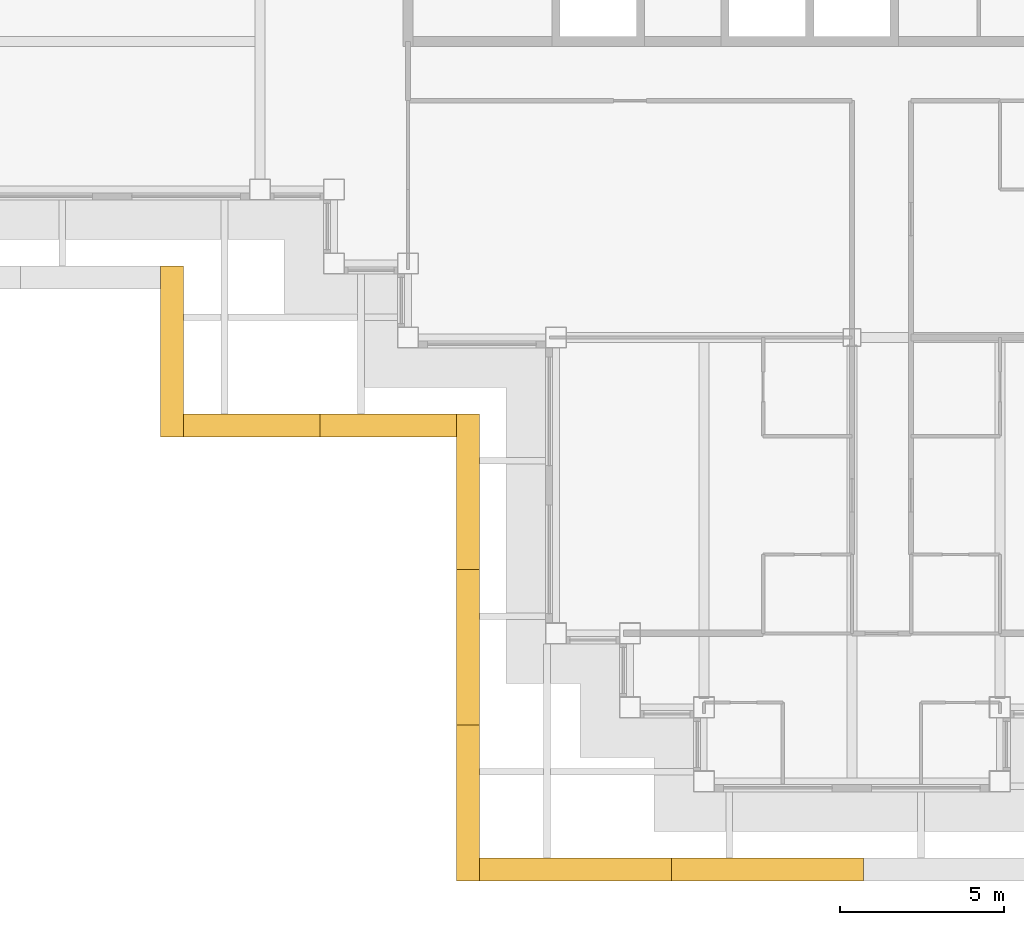
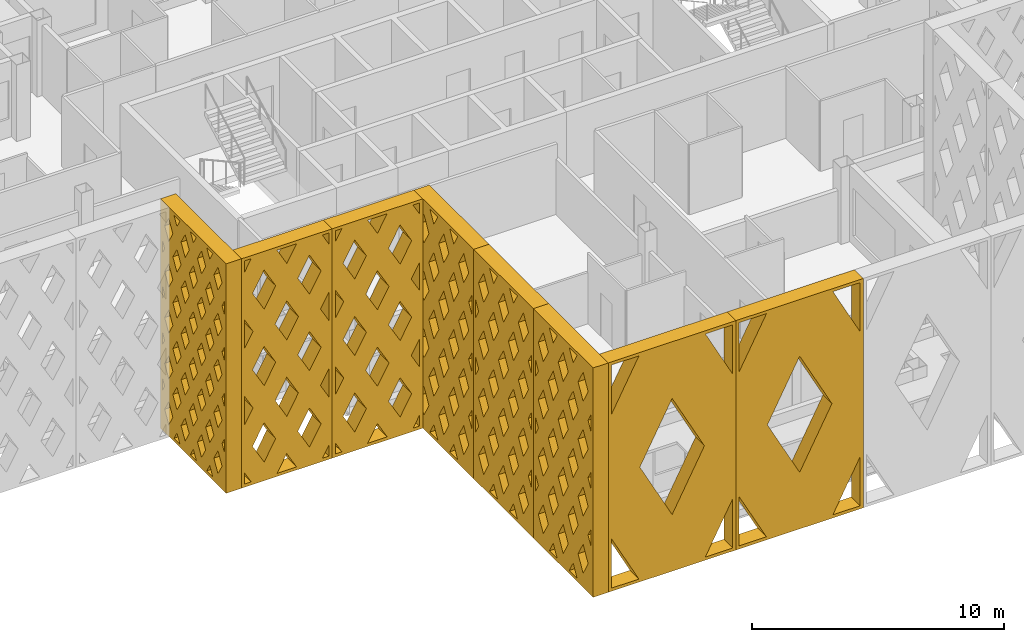
# One storey, part 11 of 17: 8 shading devices.
"""IFC4 building model written with IfcOpenShell, lengths in metres."""

import ifcopenshell
import ifcopenshell.guid

model = None  # the IFC model being written
_history = None  # IfcOwnerHistory: only IFC2X3 demands one
_inside = {}  # id of a spatial element -> (the spatial element, [elements in it])
_under = {}  # id of a project, library or spatial element -> (it, [spatial elements below it])
_declared = {}  # id of a project -> (the project, [libraries it declares])
_typed = {}  # id of a type object -> (the type object, [elements of that type])
_made_of = {}  # id of a material, layer set ... -> (it, [elements and type objects made of it])


def new_model(schema):
    """Start an empty IFC model of exactly this schema.

    Asked for "IFC4X3", IfcOpenShell would pick the latest addendum, in which some entities
    have other attributes; the version numbers below select the first issue.
    IFC2X3 requires an IfcOwnerHistory on every rooted entity: one is made here for all.
    """
    global model, _history
    if schema == "IFC4X3":
        model = ifcopenshell.file(schema_version=(4, 3, 0, 0))
    else:
        model = ifcopenshell.file(schema=schema)
    _inside.clear()
    _under.clear()
    _declared.clear()
    _typed.clear()
    _made_of.clear()
    _history = None
    if model.schema == "IFC2X3":
        org = make("IfcOrganization", Name="unknown")
        user = make(
            "IfcPersonAndOrganization",
            ThePerson=make("IfcPerson", FamilyName="unknown"),
            TheOrganization=org,
        )
        app = make(
            "IfcApplication",
            ApplicationDeveloper=org,
            Version="unknown",
            ApplicationFullName="unknown",
            ApplicationIdentifier="unknown",
        )
        _history = make(
            "IfcOwnerHistory",
            OwningUser=user,
            OwningApplication=app,
            ChangeAction="ADDED",
            CreationDate=0,
        )
    return model


def make(cls, **values):
    """One entity of the class cls with the attributes given. An attribute that is None is left unset."""
    return model.create_entity(
        cls, **{name: value for name, value in values.items() if value is not None}
    )


def rooted(cls, **values):
    """An entity with a GlobalId (a new one), such as an element, a storey or a relation."""
    return make(cls, GlobalId=ifcopenshell.guid.new(), OwnerHistory=_history, **values)


def si_unit(unit_type, name, prefix=None):
    """IfcSIUnit, for example si_unit("LENGTHUNIT", "METRE", prefix="MILLI")."""
    return make("IfcSIUnit", UnitType=unit_type, Prefix=prefix, Name=name)


def assignment(units):
    """IfcUnitAssignment: the units of a project."""
    return None if units is None else make("IfcUnitAssignment", Units=units)


def point(xyz):
    """IfcCartesianPoint."""
    return None if xyz is None else make("IfcCartesianPoint", Coordinates=xyz)


def direction(xyz):
    """IfcDirection."""
    return None if xyz is None else make("IfcDirection", DirectionRatios=xyz)


def frame(location, z_axis=None, x_axis=None):
    """IfcAxis2Placement3D, a coordinate frame: its origin and axes. An axis left out is left unset."""
    return make(
        "IfcAxis2Placement3D",
        Location=point(location),
        Axis=direction(z_axis),
        RefDirection=direction(x_axis),
    )


def origin():
    """The frame at (0, 0, 0) with its axes left unset."""
    return frame((0.0, 0.0, 0.0))


def place(relative_to, where):
    """IfcLocalPlacement: puts the frame where relative to a parent placement (None: the world)."""
    return make(
        "IfcLocalPlacement", PlacementRelTo=relative_to, RelativePlacement=where
    )


def context(
    kind, dimensions, precision=None, world=None, true_north=None, identifier=None
):
    """IfcGeometricRepresentationContext, for example the 3D "Model" context."""
    return make(
        "IfcGeometricRepresentationContext",
        ContextIdentifier=identifier,
        ContextType=kind,
        CoordinateSpaceDimension=dimensions,
        Precision=precision,
        WorldCoordinateSystem=world,
        TrueNorth=true_north,
    )


def subcontext(parent, identifier, kind, view, scale=None):
    """IfcGeometricRepresentationSubContext, for example "Body" below "Model"."""
    return make(
        "IfcGeometricRepresentationSubContext",
        ContextIdentifier=identifier,
        ContextType=kind,
        ParentContext=parent,
        TargetScale=scale,
        TargetView=view,
    )


def project(units=None, contexts=None):
    """IfcProject with its units and contexts."""
    return rooted(
        "IfcProject",
        Name="project",
        RepresentationContexts=contexts,
        UnitsInContext=assignment(units),
    )


def spatial(cls, under=None, at=None, **own):
    """A site, building, storey or space (cls), placed at a placement, below another one or the project."""
    s = rooted(cls, ObjectPlacement=at, **own)
    if under is not None:
        _under.setdefault(under.id(), (under, []))[1].append(s)
    return s


def polyline(points):
    """IfcPolyline through the points."""
    return make("IfcPolyline", Points=[point(p) for p in points])


def outline(outer, holes=None, kind="AREA"):
    """IfcArbitraryClosedProfileDef: a profile drawn as a closed curve; with holes, ...WithVoids."""
    if holes is None:
        return make("IfcArbitraryClosedProfileDef", ProfileType=kind, OuterCurve=outer)
    return make(
        "IfcArbitraryProfileDefWithVoids",
        ProfileType=kind,
        OuterCurve=outer,
        InnerCurves=holes,
    )


def extrude(swept, where, along, depth):
    """IfcExtrudedAreaSolid: the profile swept, set in the frame where, extruded along a direction by depth."""
    return make(
        "IfcExtrudedAreaSolid",
        SweptArea=swept,
        Position=where,
        ExtrudedDirection=direction(along),
        Depth=depth,
    )


def shape(context_of_items, identifier, shape_type, items):
    """IfcShapeRepresentation: the items that make up one representation, for example the "Body"."""
    return make(
        "IfcShapeRepresentation",
        ContextOfItems=context_of_items,
        RepresentationIdentifier=identifier,
        RepresentationType=shape_type,
        Items=items,
    )


def material(Name=None, Category=None):
    """IfcMaterial."""
    return make("IfcMaterial", Name=Name, Category=Category)


def made_of(thing, what):
    """Note that an element or type object is made of a material, layer set ...; save() writes the relation."""
    if what is not None:
        _made_of.setdefault(what.id(), (what, []))[1].append(thing)
    return thing


def type_object(cls, material=None, **own):
    """A type object (cls), such as IfcWallType, which elements share."""
    return made_of(rooted(cls, **own), material)


def element(
    cls,
    number,
    at=None,
    inside=None,
    cuts=None,
    type_object=None,
    material=None,
    context=None,
    identifier="Body",
    shape_type=None,
    held_by="IfcProductDefinitionShape",
    body=None,
    shapes=None,
    **own,
):
    """One element of the class cls, such as IfcWall. Its Tag is "e" and its number.

    at: its placement. inside: the storey or other place that contains it. cuts: it is an
    opening in that element (IfcRelVoidsElement). A single representation is given by context,
    identifier, shape_type and body (its items); several are given by shapes. held_by: the class
    of the entity that holds the representations. save() writes the other relations.
    """
    e = rooted(cls, Tag="e%d" % number, ObjectPlacement=at, **own)
    if body is not None:
        shapes = [shape(context, identifier, shape_type, body)]
    if shapes is not None:
        e.Representation = make(held_by, Representations=shapes)
    if inside is not None:
        _inside.setdefault(inside.id(), (inside, []))[1].append(e)
    if cuts is not None:
        rooted(
            "IfcRelVoidsElement", RelatingBuildingElement=cuts, RelatedOpeningElement=e
        )
    if type_object is not None:
        _typed.setdefault(type_object.id(), (type_object, []))[1].append(e)
    return made_of(e, material)


def aggregate(whole, parts):
    """IfcRelAggregates: a whole, such as a stair, and the parts it consists of."""
    return rooted("IfcRelAggregates", RelatingObject=whole, RelatedObjects=parts)


def save(model, path):
    """Write the relations noted so far, then the file.

    IfcRelAggregates (storeys below a building ...), IfcRelContainedInSpatialStructure (elements
    in a storey), IfcRelDefinesByType, IfcRelAssociatesMaterial and IfcRelDeclares: one each for
    every whole, place, type object, material and project.
    """
    for whole, parts in _under.values():
        aggregate(whole, parts)
    for where, things in _inside.values():
        rooted(
            "IfcRelContainedInSpatialStructure",
            RelatedElements=things,
            RelatingStructure=where,
        )
    for kind, things in _typed.values():
        rooted("IfcRelDefinesByType", RelatedObjects=things, RelatingType=kind)
    for what, things in _made_of.values():
        rooted("IfcRelAssociatesMaterial", RelatedObjects=things, RelatingMaterial=what)
    for by, libraries in _declared.values():
        rooted("IfcRelDeclares", RelatingContext=by, RelatedDefinitions=libraries)
    model.write(path)


model = new_model("IFC4")

# Units and contexts
model_context = context("Model", 3, precision=1e-05, world=origin(), true_north=direction((0.0, 1.0)))
body_context = subcontext(model_context, "Body", "Model", "MODEL_VIEW")
ifc_project = project(units=[si_unit("LENGTHUNIT", "METRE"), si_unit("AREAUNIT", "SQUARE_METRE"), si_unit("VOLUMEUNIT", "CUBIC_METRE"), si_unit("PLANEANGLEUNIT", "RADIAN"), si_unit("MASSUNIT", "GRAM", prefix="KILO")], contexts=[model_context])

# Site, building, storey
site_placement = place(None, origin())
site = spatial("IfcSite", under=ifc_project, at=site_placement, CompositionType="ELEMENT")
building_placement = place(site_placement, origin())
building = spatial("IfcBuilding", under=site, at=building_placement, Name="Caravel Reach Hotel and Residences", CompositionType="ELEMENT")
storey_placement = place(building_placement, frame((0.0, 0.0, 222.0)))
storey = spatial("IfcBuildingStorey", under=building, at=storey_placement, Name="L56", CompositionType="ELEMENT", Elevation=222.0)

# Shading devices
ifc_material_1 = material(Name="Black powder-coated aluminium", Category="aluminium")
shading_device_type_1 = type_object("IfcShadingDeviceType", Name="Diamond lattice screen panel 4150 x 11100", PredefinedType="USERDEFINED", material=ifc_material_1)
shading_device_1_placement = place(storey_placement, frame((11.175048828125, 11.175048828125, 0.0), z_axis=(0.0, -1.0, 0.0), x_axis=(1.0, 0.0, 0.0)))
element("IfcShadingDevice", 1, at=shading_device_1_placement, inside=storey, type_object=shading_device_type_1, Name="Lattice screen L56-L58 10.1", ObjectType="SCREEN", PredefinedType="USERDEFINED", context=body_context, shape_type="SweptSolid", body=[
    extrude(outline(polyline([(0.0, 0.0), (4.14990234375, 0.0), (4.14990234375, 11.10009765625), (0.0, 11.10009765625), (0.0, 0.0)]), holes=[polyline([(0.447509765625, 0.14990234375), (0.14990234375, 0.6806640625), (0.14990234375, 0.14990234375), (0.447509765625, 0.14990234375)]), polyline([(0.53173828125, 3.699951171875), (0.14990234375, 4.380615234375), (0.14990234375, 3.019287109375), (0.53173828125, 3.699951171875)]), polyline([(0.53173828125, 7.39990234375), (0.14990234375, 8.08056640625), (0.14990234375, 6.719482421875), (0.53173828125, 7.39990234375)]), polyline([(0.14990234375, 10.41943359375), (0.447509765625, 10.949951171875), (0.14990234375, 10.949951171875), (0.14990234375, 10.41943359375)]), polyline([(1.03759765625, 2.798095703125), (0.505859375, 1.85009765625), (1.03759765625, 0.90185546875), (1.569091796875, 1.85009765625), (1.03759765625, 2.798095703125)]), polyline([(1.03759765625, 6.498046875), (0.505859375, 5.550048828125), (1.03759765625, 4.60205078125), (1.569091796875, 5.550048828125), (1.03759765625, 6.498046875)]), polyline([(1.03759765625, 10.197998046875), (0.505859375, 9.25), (1.03759765625, 8.302001953125), (1.569091796875, 9.25), (1.03759765625, 10.197998046875)]), polyline([(2.074951171875, 0.947998046875), (1.62744140625, 0.14990234375), (2.5224609375, 0.14990234375), (2.074951171875, 0.947998046875)]), polyline([(2.074951171875, 4.64794921875), (1.543212890625, 3.699951171875), (2.074951171875, 2.751953125), (2.606689453125, 3.699951171875), (2.074951171875, 4.64794921875)]), polyline([(2.074951171875, 8.34814453125), (1.543212890625, 7.39990234375), (2.074951171875, 6.451904296875), (2.606689453125, 7.39990234375), (2.074951171875, 8.34814453125)]), polyline([(2.074951171875, 10.15185546875), (2.5224609375, 10.949951171875), (1.62744140625, 10.949951171875), (2.074951171875, 10.15185546875)]), polyline([(3.112548828125, 2.798095703125), (2.580810546875, 1.85009765625), (3.112548828125, 0.90185546875), (3.644287109375, 1.85009765625), (3.112548828125, 2.798095703125)]), polyline([(3.112548828125, 6.498046875), (2.580810546875, 5.550048828125), (3.112548828125, 4.60205078125), (3.644287109375, 5.550048828125), (3.112548828125, 6.498046875)]), polyline([(3.112548828125, 10.197998046875), (2.580810546875, 9.25), (3.112548828125, 8.302001953125), (3.644287109375, 9.25), (3.112548828125, 10.197998046875)]), polyline([(4.0, 0.6806640625), (3.702392578125, 0.14990234375), (4.0, 0.14990234375), (4.0, 0.6806640625)]), polyline([(3.618408203125, 3.699951171875), (4.0, 3.019287109375), (4.0, 4.380615234375), (3.618408203125, 3.699951171875)]), polyline([(3.618408203125, 7.39990234375), (4.0, 6.719482421875), (4.0, 8.08056640625), (3.618408203125, 7.39990234375)]), polyline([(3.702392578125, 10.949951171875), (4.0, 10.41943359375), (4.0, 10.949951171875), (3.702392578125, 10.949951171875)])]), origin(), (0.0, 0.0, 1.0), 0.699951171875),
])
shading_device_2_placement = place(storey_placement, frame((15.324951171875, 11.175048828125, 0.0), z_axis=(0.0, -1.0, 0.0), x_axis=(1.0, 0.0, 0.0)))
element("IfcShadingDevice", 2, at=shading_device_2_placement, inside=storey, type_object=shading_device_type_1, Name="Lattice screen L56-L58 10.2", ObjectType="SCREEN", PredefinedType="USERDEFINED", context=body_context, shape_type="SweptSolid", body=[
    extrude(outline(polyline([(0.0, 0.0), (4.14990234375, 0.0), (4.14990234375, 11.10009765625), (0.0, 11.10009765625), (0.0, 0.0)]), holes=[polyline([(0.447509765625, 0.14990234375), (0.14990234375, 0.6806640625), (0.14990234375, 0.14990234375), (0.447509765625, 0.14990234375)]), polyline([(0.53173828125, 3.699951171875), (0.14990234375, 4.380615234375), (0.14990234375, 3.019287109375), (0.53173828125, 3.699951171875)]), polyline([(0.53173828125, 7.39990234375), (0.14990234375, 8.08056640625), (0.14990234375, 6.719482421875), (0.53173828125, 7.39990234375)]), polyline([(0.14990234375, 10.41943359375), (0.447509765625, 10.949951171875), (0.14990234375, 10.949951171875), (0.14990234375, 10.41943359375)]), polyline([(1.03759765625, 2.798095703125), (0.505859375, 1.85009765625), (1.03759765625, 0.90185546875), (1.569091796875, 1.85009765625), (1.03759765625, 2.798095703125)]), polyline([(1.03759765625, 6.498046875), (0.505859375, 5.550048828125), (1.03759765625, 4.60205078125), (1.569091796875, 5.550048828125), (1.03759765625, 6.498046875)]), polyline([(1.03759765625, 10.197998046875), (0.505859375, 9.25), (1.03759765625, 8.302001953125), (1.569091796875, 9.25), (1.03759765625, 10.197998046875)]), polyline([(2.074951171875, 0.947998046875), (1.62744140625, 0.14990234375), (2.5224609375, 0.14990234375), (2.074951171875, 0.947998046875)]), polyline([(2.074951171875, 4.64794921875), (1.543212890625, 3.699951171875), (2.074951171875, 2.751953125), (2.606689453125, 3.699951171875), (2.074951171875, 4.64794921875)]), polyline([(2.074951171875, 8.34814453125), (1.543212890625, 7.39990234375), (2.074951171875, 6.451904296875), (2.606689453125, 7.39990234375), (2.074951171875, 8.34814453125)]), polyline([(2.074951171875, 10.15185546875), (2.5224609375, 10.949951171875), (1.62744140625, 10.949951171875), (2.074951171875, 10.15185546875)]), polyline([(3.112548828125, 2.798095703125), (2.580810546875, 1.85009765625), (3.112548828125, 0.90185546875), (3.644287109375, 1.85009765625), (3.112548828125, 2.798095703125)]), polyline([(3.112548828125, 6.498046875), (2.580810546875, 5.550048828125), (3.112548828125, 4.60205078125), (3.644287109375, 5.550048828125), (3.112548828125, 6.498046875)]), polyline([(3.112548828125, 10.197998046875), (2.580810546875, 9.25), (3.112548828125, 8.302001953125), (3.644287109375, 9.25), (3.112548828125, 10.197998046875)]), polyline([(4.0, 0.6806640625), (3.702392578125, 0.14990234375), (4.0, 0.14990234375), (4.0, 0.6806640625)]), polyline([(3.618408203125, 3.699951171875), (4.0, 3.019287109375), (4.0, 4.380615234375), (3.618408203125, 3.699951171875)]), polyline([(3.618408203125, 7.39990234375), (4.0, 6.719482421875), (4.0, 8.08056640625), (3.618408203125, 7.39990234375)]), polyline([(3.702392578125, 10.949951171875), (4.0, 10.41943359375), (4.0, 10.949951171875), (3.702392578125, 10.949951171875)])]), origin(), (0.0, 0.0, 1.0), 0.699951171875),
])
ifc_material_2 = material(Name="Black powder-coated aluminium", Category="aluminium")
shading_device_type_2 = type_object("IfcShadingDeviceType", Name="Diamond lattice screen panel 4733 x 11100", PredefinedType="USERDEFINED", material=ifc_material_2)
shading_device_3_placement = place(storey_placement, frame((20.175048828125, 11.175048828125, 0.0), z_axis=(-1.0, 0.0, 0.0), x_axis=(0.0, -1.0, 0.0)))
element("IfcShadingDevice", 3, at=shading_device_3_placement, inside=storey, type_object=shading_device_type_2, Name="Lattice screen L56-L58 11.1", ObjectType="SCREEN", PredefinedType="USERDEFINED", context=body_context, shape_type="SweptSolid", body=[
    extrude(outline(polyline([(0.0, 0.0), (4.7333984375, 0.0), (4.7333984375, 11.10009765625), (0.0, 11.10009765625), (0.0, 0.0)]), holes=[polyline([(0.401123046875, 2.77490234375), (0.14990234375, 3.216796875), (0.14990234375, 2.333251953125), (0.401123046875, 2.77490234375)]), polyline([(0.401123046875, 5.550048828125), (0.14990234375, 5.99169921875), (0.14990234375, 5.108154296875), (0.401123046875, 5.550048828125)]), polyline([(0.401123046875, 8.324951171875), (0.14990234375, 8.766845703125), (0.14990234375, 7.88330078125), (0.401123046875, 8.324951171875)]), polyline([(0.788818359375, 2.093017578125), (0.3876953125, 1.387451171875), (0.788818359375, 0.681884765625), (1.190185546875, 1.387451171875), (0.788818359375, 2.093017578125)]), polyline([(0.788818359375, 4.8681640625), (0.3876953125, 4.16259765625), (0.788818359375, 3.456787109375), (1.190185546875, 4.16259765625), (0.788818359375, 4.8681640625)]), polyline([(0.788818359375, 7.64306640625), (0.3876953125, 6.9375), (0.788818359375, 6.23193359375), (1.190185546875, 6.9375), (0.788818359375, 7.64306640625)]), polyline([(0.788818359375, 10.418212890625), (0.3876953125, 9.71240234375), (0.788818359375, 9.0068359375), (1.190185546875, 9.71240234375), (0.788818359375, 10.418212890625)]), polyline([(1.577880859375, 0.70556640625), (1.261962890625, 0.14990234375), (1.893798828125, 0.14990234375), (1.577880859375, 0.70556640625)]), polyline([(1.577880859375, 3.480712890625), (1.176513671875, 2.77490234375), (1.577880859375, 2.0693359375), (1.97900390625, 2.77490234375), (1.577880859375, 3.480712890625)]), polyline([(1.577880859375, 6.255615234375), (1.176513671875, 5.550048828125), (1.577880859375, 4.844482421875), (1.97900390625, 5.550048828125), (1.577880859375, 6.255615234375)]), polyline([(1.577880859375, 9.030517578125), (1.176513671875, 8.324951171875), (1.577880859375, 7.619384765625), (1.97900390625, 8.324951171875), (1.577880859375, 9.030517578125)]), polyline([(1.577880859375, 10.394287109375), (1.893798828125, 10.949951171875), (1.261962890625, 10.949951171875), (1.577880859375, 10.394287109375)]), polyline([(2.36669921875, 2.093017578125), (1.965576171875, 1.387451171875), (2.36669921875, 0.681884765625), (2.767822265625, 1.387451171875), (2.36669921875, 2.093017578125)]), polyline([(2.36669921875, 4.8681640625), (1.965576171875, 4.16259765625), (2.36669921875, 3.456787109375), (2.767822265625, 4.16259765625), (2.36669921875, 4.8681640625)]), polyline([(2.36669921875, 7.64306640625), (1.965576171875, 6.9375), (2.36669921875, 6.23193359375), (2.767822265625, 6.9375), (2.36669921875, 7.64306640625)]), polyline([(2.36669921875, 10.418212890625), (1.965576171875, 9.71240234375), (2.36669921875, 9.0068359375), (2.767822265625, 9.71240234375), (2.36669921875, 10.418212890625)]), polyline([(3.155517578125, 0.70556640625), (2.839599609375, 0.14990234375), (3.471435546875, 0.14990234375), (3.155517578125, 0.70556640625)]), polyline([(3.155517578125, 3.480712890625), (2.75439453125, 2.77490234375), (3.155517578125, 2.0693359375), (3.556640625, 2.77490234375), (3.155517578125, 3.480712890625)]), polyline([(3.155517578125, 6.255615234375), (2.75439453125, 5.550048828125), (3.155517578125, 4.844482421875), (3.556640625, 5.550048828125), (3.155517578125, 6.255615234375)]), polyline([(3.155517578125, 9.030517578125), (2.75439453125, 8.324951171875), (3.155517578125, 7.619384765625), (3.556640625, 8.324951171875), (3.155517578125, 9.030517578125)]), polyline([(3.155517578125, 10.394287109375), (3.471435546875, 10.949951171875), (2.839599609375, 10.949951171875), (3.155517578125, 10.394287109375)]), polyline([(3.9443359375, 2.093017578125), (3.543212890625, 1.387451171875), (3.9443359375, 0.681884765625), (4.345703125, 1.387451171875), (3.9443359375, 2.093017578125)]), polyline([(3.9443359375, 4.8681640625), (3.543212890625, 4.16259765625), (3.9443359375, 3.456787109375), (4.345703125, 4.16259765625), (3.9443359375, 4.8681640625)]), polyline([(3.9443359375, 7.64306640625), (3.543212890625, 6.9375), (3.9443359375, 6.23193359375), (4.345703125, 6.9375), (3.9443359375, 7.64306640625)]), polyline([(3.9443359375, 10.418212890625), (3.543212890625, 9.71240234375), (3.9443359375, 9.0068359375), (4.345703125, 9.71240234375), (3.9443359375, 10.418212890625)]), polyline([(4.33203125, 2.77490234375), (4.583251953125, 2.333251953125), (4.583251953125, 3.216796875), (4.33203125, 2.77490234375)]), polyline([(4.33203125, 5.550048828125), (4.583251953125, 5.108154296875), (4.583251953125, 5.99169921875), (4.33203125, 5.550048828125)]), polyline([(4.33203125, 8.324951171875), (4.583251953125, 7.88330078125), (4.583251953125, 8.766845703125), (4.33203125, 8.324951171875)])]), origin(), (0.0, 0.0, 1.0), 0.699951171875),
])
shading_device_4_placement = place(storey_placement, frame((20.175048828125, 6.441650390625, 0.0), z_axis=(-1.0, 0.0, 0.0), x_axis=(0.0, -1.0, 0.0)))
element("IfcShadingDevice", 4, at=shading_device_4_placement, inside=storey, type_object=shading_device_type_2, Name="Lattice screen L56-L58 11.2", ObjectType="SCREEN", PredefinedType="USERDEFINED", context=body_context, shape_type="SweptSolid", body=[
    extrude(outline(polyline([(0.0, 0.0), (4.7333984375, 0.0), (4.7333984375, 11.10009765625), (0.0, 11.10009765625), (0.0, 0.0)]), holes=[polyline([(0.401123046875, 2.77490234375), (0.14990234375, 3.216796875), (0.14990234375, 2.333251953125), (0.401123046875, 2.77490234375)]), polyline([(0.401123046875, 5.550048828125), (0.14990234375, 5.99169921875), (0.14990234375, 5.108154296875), (0.401123046875, 5.550048828125)]), polyline([(0.401123046875, 8.324951171875), (0.14990234375, 8.766845703125), (0.14990234375, 7.88330078125), (0.401123046875, 8.324951171875)]), polyline([(0.788818359375, 2.093017578125), (0.3876953125, 1.387451171875), (0.788818359375, 0.681884765625), (1.190185546875, 1.387451171875), (0.788818359375, 2.093017578125)]), polyline([(0.788818359375, 4.8681640625), (0.3876953125, 4.16259765625), (0.788818359375, 3.456787109375), (1.190185546875, 4.16259765625), (0.788818359375, 4.8681640625)]), polyline([(0.788818359375, 7.64306640625), (0.3876953125, 6.9375), (0.788818359375, 6.23193359375), (1.190185546875, 6.9375), (0.788818359375, 7.64306640625)]), polyline([(0.788818359375, 10.418212890625), (0.3876953125, 9.71240234375), (0.788818359375, 9.0068359375), (1.190185546875, 9.71240234375), (0.788818359375, 10.418212890625)]), polyline([(1.577880859375, 0.70556640625), (1.261962890625, 0.14990234375), (1.893798828125, 0.14990234375), (1.577880859375, 0.70556640625)]), polyline([(1.577880859375, 3.480712890625), (1.176513671875, 2.77490234375), (1.577880859375, 2.0693359375), (1.97900390625, 2.77490234375), (1.577880859375, 3.480712890625)]), polyline([(1.577880859375, 6.255615234375), (1.176513671875, 5.550048828125), (1.577880859375, 4.844482421875), (1.97900390625, 5.550048828125), (1.577880859375, 6.255615234375)]), polyline([(1.577880859375, 9.030517578125), (1.176513671875, 8.324951171875), (1.577880859375, 7.619384765625), (1.97900390625, 8.324951171875), (1.577880859375, 9.030517578125)]), polyline([(1.577880859375, 10.394287109375), (1.893798828125, 10.949951171875), (1.261962890625, 10.949951171875), (1.577880859375, 10.394287109375)]), polyline([(2.36669921875, 2.093017578125), (1.965576171875, 1.387451171875), (2.36669921875, 0.681884765625), (2.767822265625, 1.387451171875), (2.36669921875, 2.093017578125)]), polyline([(2.36669921875, 4.8681640625), (1.965576171875, 4.16259765625), (2.36669921875, 3.456787109375), (2.767822265625, 4.16259765625), (2.36669921875, 4.8681640625)]), polyline([(2.36669921875, 7.64306640625), (1.965576171875, 6.9375), (2.36669921875, 6.23193359375), (2.767822265625, 6.9375), (2.36669921875, 7.64306640625)]), polyline([(2.36669921875, 10.418212890625), (1.965576171875, 9.71240234375), (2.36669921875, 9.0068359375), (2.767822265625, 9.71240234375), (2.36669921875, 10.418212890625)]), polyline([(3.155517578125, 0.70556640625), (2.839599609375, 0.14990234375), (3.471435546875, 0.14990234375), (3.155517578125, 0.70556640625)]), polyline([(3.155517578125, 3.480712890625), (2.75439453125, 2.77490234375), (3.155517578125, 2.0693359375), (3.556640625, 2.77490234375), (3.155517578125, 3.480712890625)]), polyline([(3.155517578125, 6.255615234375), (2.75439453125, 5.550048828125), (3.155517578125, 4.844482421875), (3.556640625, 5.550048828125), (3.155517578125, 6.255615234375)]), polyline([(3.155517578125, 9.030517578125), (2.75439453125, 8.324951171875), (3.155517578125, 7.619384765625), (3.556640625, 8.324951171875), (3.155517578125, 9.030517578125)]), polyline([(3.155517578125, 10.394287109375), (3.471435546875, 10.949951171875), (2.839599609375, 10.949951171875), (3.155517578125, 10.394287109375)]), polyline([(3.9443359375, 2.093017578125), (3.543212890625, 1.387451171875), (3.9443359375, 0.681884765625), (4.345703125, 1.387451171875), (3.9443359375, 2.093017578125)]), polyline([(3.9443359375, 4.8681640625), (3.543212890625, 4.16259765625), (3.9443359375, 3.456787109375), (4.345703125, 4.16259765625), (3.9443359375, 4.8681640625)]), polyline([(3.9443359375, 7.64306640625), (3.543212890625, 6.9375), (3.9443359375, 6.23193359375), (4.345703125, 6.9375), (3.9443359375, 7.64306640625)]), polyline([(3.9443359375, 10.418212890625), (3.543212890625, 9.71240234375), (3.9443359375, 9.0068359375), (4.345703125, 9.71240234375), (3.9443359375, 10.418212890625)]), polyline([(4.33203125, 2.77490234375), (4.583251953125, 2.333251953125), (4.583251953125, 3.216796875), (4.33203125, 2.77490234375)]), polyline([(4.33203125, 5.550048828125), (4.583251953125, 5.108154296875), (4.583251953125, 5.99169921875), (4.33203125, 5.550048828125)]), polyline([(4.33203125, 8.324951171875), (4.583251953125, 7.88330078125), (4.583251953125, 8.766845703125), (4.33203125, 8.324951171875)])]), origin(), (0.0, 0.0, 1.0), 0.699951171875),
])
shading_device_5_placement = place(storey_placement, frame((20.175048828125, 1.708251953125, 0.0), z_axis=(-1.0, 0.0, 0.0), x_axis=(0.0, -1.0, 0.0)))
element("IfcShadingDevice", 5, at=shading_device_5_placement, inside=storey, type_object=shading_device_type_2, Name="Lattice screen L56-L58 11.3", ObjectType="SCREEN", PredefinedType="USERDEFINED", context=body_context, shape_type="SweptSolid", body=[
    extrude(outline(polyline([(0.0, 0.0), (4.7333984375, 0.0), (4.7333984375, 11.10009765625), (0.0, 11.10009765625), (0.0, 0.0)]), holes=[polyline([(0.401123046875, 2.77490234375), (0.14990234375, 3.216796875), (0.14990234375, 2.333251953125), (0.401123046875, 2.77490234375)]), polyline([(0.401123046875, 5.550048828125), (0.14990234375, 5.99169921875), (0.14990234375, 5.108154296875), (0.401123046875, 5.550048828125)]), polyline([(0.401123046875, 8.324951171875), (0.14990234375, 8.766845703125), (0.14990234375, 7.88330078125), (0.401123046875, 8.324951171875)]), polyline([(0.788818359375, 2.093017578125), (0.3876953125, 1.387451171875), (0.788818359375, 0.681884765625), (1.190185546875, 1.387451171875), (0.788818359375, 2.093017578125)]), polyline([(0.788818359375, 4.8681640625), (0.3876953125, 4.16259765625), (0.788818359375, 3.456787109375), (1.190185546875, 4.16259765625), (0.788818359375, 4.8681640625)]), polyline([(0.788818359375, 7.64306640625), (0.3876953125, 6.9375), (0.788818359375, 6.23193359375), (1.190185546875, 6.9375), (0.788818359375, 7.64306640625)]), polyline([(0.788818359375, 10.418212890625), (0.3876953125, 9.71240234375), (0.788818359375, 9.0068359375), (1.190185546875, 9.71240234375), (0.788818359375, 10.418212890625)]), polyline([(1.577880859375, 0.70556640625), (1.261962890625, 0.14990234375), (1.893798828125, 0.14990234375), (1.577880859375, 0.70556640625)]), polyline([(1.577880859375, 3.480712890625), (1.176513671875, 2.77490234375), (1.577880859375, 2.0693359375), (1.97900390625, 2.77490234375), (1.577880859375, 3.480712890625)]), polyline([(1.577880859375, 6.255615234375), (1.176513671875, 5.550048828125), (1.577880859375, 4.844482421875), (1.97900390625, 5.550048828125), (1.577880859375, 6.255615234375)]), polyline([(1.577880859375, 9.030517578125), (1.176513671875, 8.324951171875), (1.577880859375, 7.619384765625), (1.97900390625, 8.324951171875), (1.577880859375, 9.030517578125)]), polyline([(1.577880859375, 10.394287109375), (1.893798828125, 10.949951171875), (1.261962890625, 10.949951171875), (1.577880859375, 10.394287109375)]), polyline([(2.36669921875, 2.093017578125), (1.965576171875, 1.387451171875), (2.36669921875, 0.681884765625), (2.767822265625, 1.387451171875), (2.36669921875, 2.093017578125)]), polyline([(2.36669921875, 4.8681640625), (1.965576171875, 4.16259765625), (2.36669921875, 3.456787109375), (2.767822265625, 4.16259765625), (2.36669921875, 4.8681640625)]), polyline([(2.36669921875, 7.64306640625), (1.965576171875, 6.9375), (2.36669921875, 6.23193359375), (2.767822265625, 6.9375), (2.36669921875, 7.64306640625)]), polyline([(2.36669921875, 10.418212890625), (1.965576171875, 9.71240234375), (2.36669921875, 9.0068359375), (2.767822265625, 9.71240234375), (2.36669921875, 10.418212890625)]), polyline([(3.155517578125, 0.70556640625), (2.839599609375, 0.14990234375), (3.471435546875, 0.14990234375), (3.155517578125, 0.70556640625)]), polyline([(3.155517578125, 3.480712890625), (2.75439453125, 2.77490234375), (3.155517578125, 2.0693359375), (3.556640625, 2.77490234375), (3.155517578125, 3.480712890625)]), polyline([(3.155517578125, 6.255615234375), (2.75439453125, 5.550048828125), (3.155517578125, 4.844482421875), (3.556640625, 5.550048828125), (3.155517578125, 6.255615234375)]), polyline([(3.155517578125, 9.030517578125), (2.75439453125, 8.324951171875), (3.155517578125, 7.619384765625), (3.556640625, 8.324951171875), (3.155517578125, 9.030517578125)]), polyline([(3.155517578125, 10.394287109375), (3.471435546875, 10.949951171875), (2.839599609375, 10.949951171875), (3.155517578125, 10.394287109375)]), polyline([(3.9443359375, 2.093017578125), (3.543212890625, 1.387451171875), (3.9443359375, 0.681884765625), (4.345703125, 1.387451171875), (3.9443359375, 2.093017578125)]), polyline([(3.9443359375, 4.8681640625), (3.543212890625, 4.16259765625), (3.9443359375, 3.456787109375), (4.345703125, 4.16259765625), (3.9443359375, 4.8681640625)]), polyline([(3.9443359375, 7.64306640625), (3.543212890625, 6.9375), (3.9443359375, 6.23193359375), (4.345703125, 6.9375), (3.9443359375, 7.64306640625)]), polyline([(3.9443359375, 10.418212890625), (3.543212890625, 9.71240234375), (3.9443359375, 9.0068359375), (4.345703125, 9.71240234375), (3.9443359375, 10.418212890625)]), polyline([(4.33203125, 2.77490234375), (4.583251953125, 2.333251953125), (4.583251953125, 3.216796875), (4.33203125, 2.77490234375)]), polyline([(4.33203125, 5.550048828125), (4.583251953125, 5.108154296875), (4.583251953125, 5.99169921875), (4.33203125, 5.550048828125)]), polyline([(4.33203125, 8.324951171875), (4.583251953125, 7.88330078125), (4.583251953125, 8.766845703125), (4.33203125, 8.324951171875)])]), origin(), (0.0, 0.0, 1.0), 0.699951171875),
])
ifc_material_3 = material(Name="Black powder-coated aluminium", Category="aluminium")
shading_device_type_3 = type_object("IfcShadingDeviceType", Name="Diamond lattice screen panel 5200 x 11100", PredefinedType="USERDEFINED", material=ifc_material_3)
shading_device_6_placement = place(storey_placement, frame((11.175048828125, 15.675048828125, 0.0), z_axis=(-1.0, 0.0, 0.0), x_axis=(0.0, -1.0, 0.0)))
element("IfcShadingDevice", 6, at=shading_device_6_placement, inside=storey, type_object=shading_device_type_3, Name="Lattice screen L56-L58 9.1", ObjectType="SCREEN", PredefinedType="USERDEFINED", context=body_context, shape_type="SweptSolid", body=[
    extrude(outline(polyline([(0.0, 0.0), (5.199951171875, 0.0), (5.199951171875, 11.10009765625), (0.0, 11.10009765625), (0.0, 0.0)]), holes=[polyline([(0.326904296875, 2.219970703125), (0.14990234375, 2.522216796875), (0.14990234375, 1.917724609375), (0.326904296875, 2.219970703125)]), polyline([(0.326904296875, 4.43994140625), (0.14990234375, 4.7421875), (0.14990234375, 4.1376953125), (0.326904296875, 4.43994140625)]), polyline([(0.326904296875, 6.659912109375), (0.14990234375, 6.962158203125), (0.14990234375, 6.357666015625), (0.326904296875, 6.659912109375)]), polyline([(0.326904296875, 8.8798828125), (0.14990234375, 9.18212890625), (0.14990234375, 8.577880859375), (0.326904296875, 8.8798828125)]), polyline([(0.64990234375, 1.66845703125), (0.322998046875, 1.110107421875), (0.64990234375, 0.551513671875), (0.97705078125, 1.110107421875), (0.64990234375, 1.66845703125)]), polyline([(0.64990234375, 3.888427734375), (0.322998046875, 3.330078125), (0.64990234375, 2.771728515625), (0.97705078125, 3.330078125), (0.64990234375, 3.888427734375)]), polyline([(0.64990234375, 6.1083984375), (0.322998046875, 5.550048828125), (0.64990234375, 4.99169921875), (0.97705078125, 5.550048828125), (0.64990234375, 6.1083984375)]), polyline([(0.64990234375, 8.328369140625), (0.322998046875, 7.77001953125), (0.64990234375, 7.211669921875), (0.97705078125, 7.77001953125), (0.64990234375, 8.328369140625)]), polyline([(0.64990234375, 10.54833984375), (0.322998046875, 9.989990234375), (0.64990234375, 9.431640625), (0.97705078125, 9.989990234375), (0.64990234375, 10.54833984375)]), polyline([(1.300048828125, 0.558349609375), (1.060791015625, 0.14990234375), (1.5390625, 0.14990234375), (1.300048828125, 0.558349609375)]), polyline([(1.300048828125, 2.7783203125), (0.97314453125, 2.219970703125), (1.300048828125, 1.66162109375), (1.626953125, 2.219970703125), (1.300048828125, 2.7783203125)]), polyline([(1.300048828125, 4.998291015625), (0.97314453125, 4.43994140625), (1.300048828125, 3.881591796875), (1.626953125, 4.43994140625), (1.300048828125, 4.998291015625)]), polyline([(1.300048828125, 7.21826171875), (0.97314453125, 6.659912109375), (1.300048828125, 6.1015625), (1.626953125, 6.659912109375), (1.300048828125, 7.21826171875)]), polyline([(1.300048828125, 9.4384765625), (0.97314453125, 8.8798828125), (1.300048828125, 8.321533203125), (1.626953125, 8.8798828125), (1.300048828125, 9.4384765625)]), polyline([(1.300048828125, 10.541748046875), (1.5390625, 10.949951171875), (1.060791015625, 10.949951171875), (1.300048828125, 10.541748046875)]), polyline([(1.949951171875, 1.66845703125), (1.623046875, 1.110107421875), (1.949951171875, 0.551513671875), (2.27685546875, 1.110107421875), (1.949951171875, 1.66845703125)]), polyline([(1.949951171875, 3.888427734375), (1.623046875, 3.330078125), (1.949951171875, 2.771728515625), (2.27685546875, 3.330078125), (1.949951171875, 3.888427734375)]), polyline([(1.949951171875, 6.1083984375), (1.623046875, 5.550048828125), (1.949951171875, 4.99169921875), (2.27685546875, 5.550048828125), (1.949951171875, 6.1083984375)]), polyline([(1.949951171875, 8.328369140625), (1.623046875, 7.77001953125), (1.949951171875, 7.211669921875), (2.27685546875, 7.77001953125), (1.949951171875, 8.328369140625)]), polyline([(1.949951171875, 10.54833984375), (1.623046875, 9.989990234375), (1.949951171875, 9.431640625), (2.27685546875, 9.989990234375), (1.949951171875, 10.54833984375)]), polyline([(2.60009765625, 0.558349609375), (2.36083984375, 0.14990234375), (2.839111328125, 0.14990234375), (2.60009765625, 0.558349609375)]), polyline([(2.60009765625, 2.7783203125), (2.27294921875, 2.219970703125), (2.60009765625, 1.66162109375), (2.927001953125, 2.219970703125), (2.60009765625, 2.7783203125)]), polyline([(2.60009765625, 4.998291015625), (2.27294921875, 4.43994140625), (2.60009765625, 3.881591796875), (2.927001953125, 4.43994140625), (2.60009765625, 4.998291015625)]), polyline([(2.60009765625, 7.21826171875), (2.27294921875, 6.659912109375), (2.60009765625, 6.1015625), (2.927001953125, 6.659912109375), (2.60009765625, 7.21826171875)]), polyline([(2.60009765625, 9.4384765625), (2.27294921875, 8.8798828125), (2.60009765625, 8.321533203125), (2.927001953125, 8.8798828125), (2.60009765625, 9.4384765625)]), polyline([(2.60009765625, 10.541748046875), (2.839111328125, 10.949951171875), (2.36083984375, 10.949951171875), (2.60009765625, 10.541748046875)]), polyline([(3.25, 1.66845703125), (2.923095703125, 1.110107421875), (3.25, 0.551513671875), (3.576904296875, 1.110107421875), (3.25, 1.66845703125)]), polyline([(3.25, 3.888427734375), (2.923095703125, 3.330078125), (3.25, 2.771728515625), (3.576904296875, 3.330078125), (3.25, 3.888427734375)]), polyline([(3.25, 6.1083984375), (2.923095703125, 5.550048828125), (3.25, 4.99169921875), (3.576904296875, 5.550048828125), (3.25, 6.1083984375)]), polyline([(3.25, 8.328369140625), (2.923095703125, 7.77001953125), (3.25, 7.211669921875), (3.576904296875, 7.77001953125), (3.25, 8.328369140625)]), polyline([(3.25, 10.54833984375), (2.923095703125, 9.989990234375), (3.25, 9.431640625), (3.576904296875, 9.989990234375), (3.25, 10.54833984375)]), polyline([(3.89990234375, 0.558349609375), (3.660888671875, 0.14990234375), (4.13916015625, 0.14990234375), (3.89990234375, 0.558349609375)]), polyline([(3.89990234375, 2.7783203125), (3.572998046875, 2.219970703125), (3.89990234375, 1.66162109375), (4.22705078125, 2.219970703125), (3.89990234375, 2.7783203125)]), polyline([(3.89990234375, 4.998291015625), (3.572998046875, 4.43994140625), (3.89990234375, 3.881591796875), (4.22705078125, 4.43994140625), (3.89990234375, 4.998291015625)]), polyline([(3.89990234375, 7.21826171875), (3.572998046875, 6.659912109375), (3.89990234375, 6.1015625), (4.22705078125, 6.659912109375), (3.89990234375, 7.21826171875)]), polyline([(3.89990234375, 9.4384765625), (3.572998046875, 8.8798828125), (3.89990234375, 8.321533203125), (4.22705078125, 8.8798828125), (3.89990234375, 9.4384765625)]), polyline([(3.89990234375, 10.541748046875), (4.13916015625, 10.949951171875), (3.660888671875, 10.949951171875), (3.89990234375, 10.541748046875)]), polyline([(4.550048828125, 1.66845703125), (4.22314453125, 1.110107421875), (4.550048828125, 0.551513671875), (4.876953125, 1.110107421875), (4.550048828125, 1.66845703125)]), polyline([(4.550048828125, 3.888427734375), (4.22314453125, 3.330078125), (4.550048828125, 2.771728515625), (4.876953125, 3.330078125), (4.550048828125, 3.888427734375)]), polyline([(4.550048828125, 6.1083984375), (4.22314453125, 5.550048828125), (4.550048828125, 4.99169921875), (4.876953125, 5.550048828125), (4.550048828125, 6.1083984375)]), polyline([(4.550048828125, 8.328369140625), (4.22314453125, 7.77001953125), (4.550048828125, 7.211669921875), (4.876953125, 7.77001953125), (4.550048828125, 8.328369140625)]), polyline([(4.550048828125, 10.54833984375), (4.22314453125, 9.989990234375), (4.550048828125, 9.431640625), (4.876953125, 9.989990234375), (4.550048828125, 10.54833984375)]), polyline([(4.873046875, 2.219970703125), (5.050048828125, 1.917724609375), (5.050048828125, 2.522216796875), (4.873046875, 2.219970703125)]), polyline([(4.873046875, 4.43994140625), (5.050048828125, 4.1376953125), (5.050048828125, 4.7421875), (4.873046875, 4.43994140625)]), polyline([(4.873046875, 6.659912109375), (5.050048828125, 6.357666015625), (5.050048828125, 6.962158203125), (4.873046875, 6.659912109375)]), polyline([(4.873046875, 8.8798828125), (5.050048828125, 8.577880859375), (5.050048828125, 9.18212890625), (4.873046875, 8.8798828125)])]), origin(), (0.0, 0.0, 1.0), 0.699951171875),
])
ifc_material_4 = material(Name="Black powder-coated aluminium", Category="aluminium")
shading_device_type_4 = type_object("IfcShadingDeviceType", Name="Diamond lattice screen panel 5838 x 11100", PredefinedType="USERDEFINED", material=ifc_material_4)
for number, where, z_axis, x_axis, name in (
    (7, (20.175048828125, -2.324951171875, 0.0), (0.0, -1.0, 0.0), (1.0, 0.0, 0.0), "Lattice screen L56-L58 12.1"),
    (8, (26.012451171875, -2.324951171875, 0.0), (0.0, -1.0, 0.0), (1.0, 0.0, 0.0), "Lattice screen L56-L58 12.2"),
):
    element("IfcShadingDevice", number, at=place(storey_placement, frame(where, z_axis=z_axis, x_axis=x_axis)), inside=storey, type_object=shading_device_type_4, Name=name, ObjectType="SCREEN", PredefinedType="USERDEFINED", context=body_context, shape_type="SweptSolid", body=[
        extrude(outline(polyline([(0.0, 0.0), (5.83740234375, 0.0), (5.83740234375, 11.10009765625), (0.0, 11.10009765625), (0.0, 0.0)]), holes=[polyline([(1.399658203125, 0.14990234375), (0.14990234375, 2.5263671875), (0.14990234375, 0.14990234375), (1.399658203125, 0.14990234375)]), polyline([(0.14990234375, 8.573486328125), (1.399658203125, 10.949951171875), (0.14990234375, 10.949951171875), (0.14990234375, 8.573486328125)]), polyline([(2.918701171875, 8.361572265625), (1.440185546875, 5.550048828125), (2.918701171875, 2.73828125), (4.3974609375, 5.550048828125), (2.918701171875, 8.361572265625)]), polyline([(5.6875, 2.5263671875), (4.437744140625, 0.14990234375), (5.6875, 0.14990234375), (5.6875, 2.5263671875)]), polyline([(4.437744140625, 10.949951171875), (5.6875, 8.573486328125), (5.6875, 10.949951171875), (4.437744140625, 10.949951171875)])]), origin(), (0.0, 0.0, 1.0), 0.699951171875),
    ])

save(model, "model.ifc")
